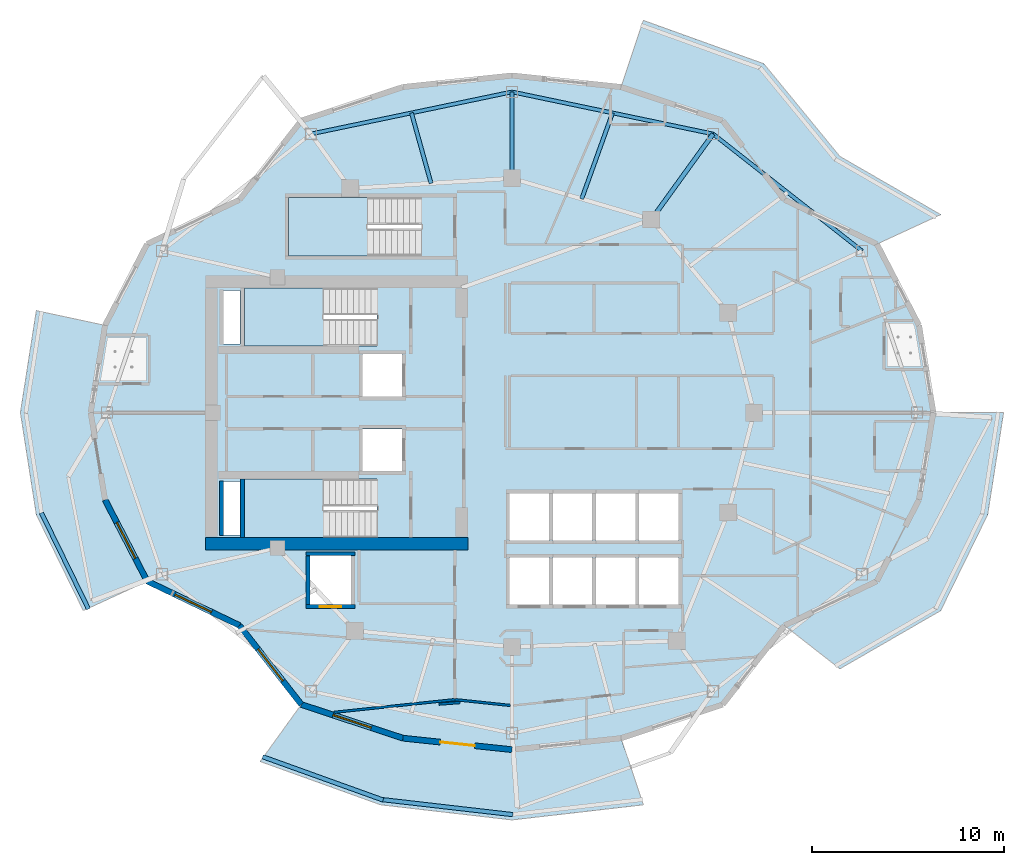
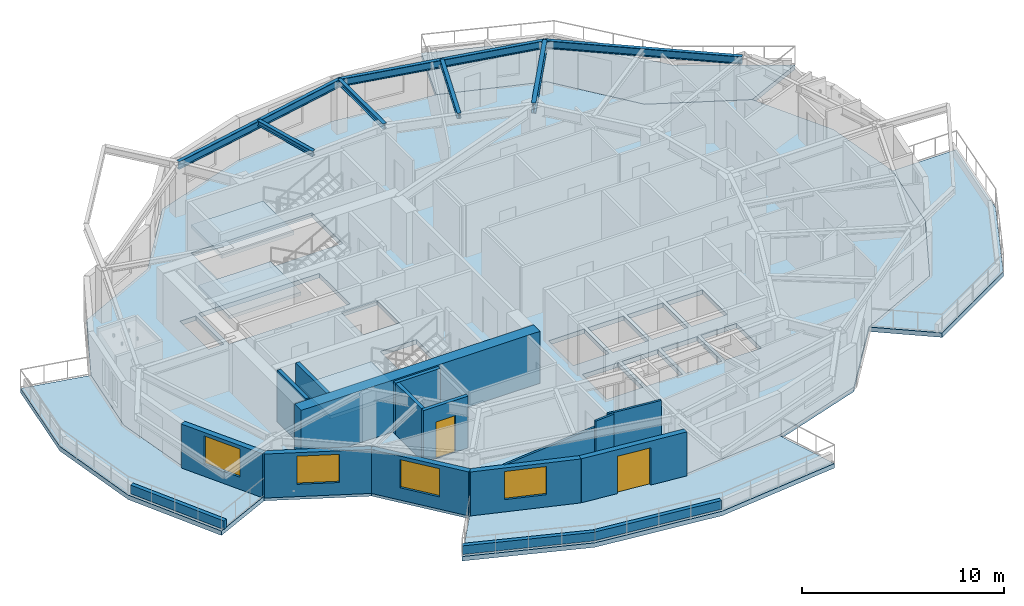
# One storey, part 2 of 13: 17 walls, 8 slabs, 7 beams, 4 windows, 2 doors, 6 openings, 3 elements without a shape of their own.
"""IFC4 building model written with IfcOpenShell, lengths in metres."""

from ifc_helpers import new_model, si_unit, direction, frame, frame_2d, origin, origin_2d, place, context, subcontext, project, spatial, polyline, rectangle, i_section, outline, extrude, material, layer, layer_set, material_profile, profile_set, type_object, element, fill, aggregate, save


model = new_model("IFC4")

# Units and contexts
model_context = context("Model", 3, precision=1e-05, world=origin(), true_north=direction((0.0, 1.0)))
body_context = subcontext(model_context, "Body", "Model", "MODEL_VIEW")
ifc_project = project(units=[si_unit("LENGTHUNIT", "METRE"), si_unit("AREAUNIT", "SQUARE_METRE"), si_unit("VOLUMEUNIT", "CUBIC_METRE"), si_unit("PLANEANGLEUNIT", "RADIAN"), si_unit("MASSUNIT", "GRAM", prefix="KILO")], contexts=[model_context])

# Site, building, storey
site_placement = place(None, origin())
site = spatial("IfcSite", under=ifc_project, at=site_placement, CompositionType="ELEMENT")
building_placement = place(site_placement, origin())
building = spatial("IfcBuilding", under=site, at=building_placement, Name="Kolvaren Gate Tower and Convention Centre", CompositionType="ELEMENT")
storey_placement = place(building_placement, frame((0.0, 0.0, 166.5)))
storey = spatial("IfcBuildingStorey", under=building, at=storey_placement, Name="L43", CompositionType="ELEMENT", Elevation=166.5)

# Beams
ifc_material_1 = material(Name="Structural steel ASTM A992 Grade 345 MPa", Category="steel")
ifc_material_profile_1 = material_profile(ifc_material_1, i_section(OverallWidth=0.22998046875, OverallDepth=0.616943359375, WebThickness=0.01318359375, FlangeThickness=0.022216796875, at=origin_2d()), Name="W610X140")
ifc_profile_set_1 = profile_set([ifc_material_profile_1], Name="Structural steel ASTM A992 Grade 345 MPa")
beam_type_1 = type_object("IfcBeamType", Name="STR-BM-W610X140", PredefinedType="BEAM", material=ifc_profile_set_1)
beam_1_placement = place(storey_placement, frame((37.381591796875, 37.054931640625, 2.821533203125), z_axis=(0.58520818289, 0.810883088169, 0.0), x_axis=(-0.810883088169, 0.58520818289, 0.0)))
element("IfcBeam", 1, at=beam_1_placement, inside=storey, type_object=beam_type_1, Name="Tower L43 Radial Floor Girder RB-03", PredefinedType="BEAM", context=body_context, shape_type="SweptSolid", body=[
    extrude(i_section(OverallWidth=0.22998046875, OverallDepth=0.616943359375, WebThickness=0.01318359375, FlangeThickness=0.022216796875, at=origin_2d()), origin(), (0.0, 0.0, 1.0), 5.493408203125),
])
ifc_material_profile_2 = material_profile(ifc_material_1, i_section(OverallWidth=0.205078125, OverallDepth=0.31005859375, WebThickness=0.009521484375, FlangeThickness=0.016357421875, at=origin_2d()), Name="W310X74")
ifc_profile_set_2 = profile_set([ifc_material_profile_2], Name="Structural steel ASTM A992 Grade 345 MPa")
beam_type_2 = type_object("IfcBeamType", Name="STR-JS-W310X74", PredefinedType="JOIST", material=ifc_profile_set_2)
beam_2_placement = place(storey_placement, frame((30.125, 39.199951171875, 2.97509765625), z_axis=(0.0, 1.0, 0.0), x_axis=(-1.0, 0.0, 0.0)))
element("IfcBeam", 2, at=beam_2_placement, inside=storey, type_object=beam_type_2, Name="Tower L43 Radial Floor Girder RB-04", PredefinedType="JOIST", context=body_context, shape_type="SweptSolid", body=[
    extrude(i_section(OverallWidth=0.205078125, OverallDepth=0.31005859375, WebThickness=0.009521484375, FlangeThickness=0.016357421875, at=origin_2d()), origin(), (0.0, 0.0, 1.0), 4.5),
])
beam_3_placement = place(storey_placement, frame((33.75341796875, 38.12744140625, 2.97509765625), z_axis=(0.33785426197, 0.941198436924, 0.0), x_axis=(-0.941198436924, 0.33785426197, 0.0)))
element("IfcBeam", 3, at=beam_3_placement, inside=storey, type_object=beam_type_2, Name="Tower L43 Secondary Composite Floor Joist J-03.1", PredefinedType="JOIST", context=body_context, shape_type="SweptSolid", body=[
    extrude(i_section(OverallWidth=0.205078125, OverallDepth=0.31005859375, WebThickness=0.009521484375, FlangeThickness=0.016357421875, at=origin_2d()), origin(), (0.0, 0.0, 1.0), 4.757080078125),
])
beam_4_placement = place(storey_placement, frame((25.91162109375, 38.938232421875, 2.97509765625), z_axis=(-0.26855678261, 0.963263855085, 0.0), x_axis=(-0.963263855085, -0.26855678261, 0.0)))
element("IfcBeam", 4, at=beam_4_placement, inside=storey, type_object=beam_type_2, Name="Tower L43 Secondary Composite Floor Joist J-04.1", PredefinedType="JOIST", context=body_context, shape_type="SweptSolid", body=[
    extrude(i_section(OverallWidth=0.205078125, OverallDepth=0.31005859375, WebThickness=0.009521484375, FlangeThickness=0.016357421875, at=origin_2d()), origin(), (0.0, 0.0, 1.0), 3.806396484375),
])
ifc_material_profile_3 = material_profile(ifc_material_1, i_section(OverallWidth=0.194091796875, OverallDepth=0.468994140625, WebThickness=0.0126953125, FlangeThickness=0.0205078125, at=origin_2d()), Name="W460X106")
ifc_profile_set_3 = profile_set([ifc_material_profile_3], Name="Structural steel ASTM A992 Grade 345 MPa")
beam_type_3 = type_object("IfcBeamType", Name="STR-SP-W460X106", PredefinedType="SPANDREL", material=ifc_profile_set_3)
beam_5_placement = place(storey_placement, frame((48.351806640625, 35.418701171875, 2.8955078125), z_axis=(-0.786450621777, 0.617653154697, 0.0), x_axis=(-0.617653154697, -0.786450621777, 0.0)))
element("IfcBeam", 5, at=beam_5_placement, inside=storey, type_object=beam_type_3, Name="Tower L43 Perimeter Spandrel Beam SP-02", PredefinedType="SPANDREL", context=body_context, shape_type="SweptSolid", body=[
    extrude(i_section(OverallWidth=0.194091796875, OverallDepth=0.468994140625, WebThickness=0.0126953125, FlangeThickness=0.0205078125, at=origin_2d()), origin(), (0.0, 0.0, 1.0), 9.861328125),
])
beam_6_placement = place(storey_placement, frame((40.596435546875, 41.509521484375, 2.8955078125), z_axis=(-0.978814350133, 0.204749769168, 0.0), x_axis=(-0.204749769168, -0.978814350133, 0.0)))
element("IfcBeam", 6, at=beam_6_placement, inside=storey, type_object=beam_type_3, Name="Tower L43 Perimeter Spandrel Beam SP-03", PredefinedType="SPANDREL", context=body_context, shape_type="SweptSolid", body=[
    extrude(i_section(OverallWidth=0.194091796875, OverallDepth=0.468994140625, WebThickness=0.0126953125, FlangeThickness=0.0205078125, at=origin_2d()), origin(), (0.0, 0.0, 1.0), 10.697998046875),
])
beam_7_placement = place(storey_placement, frame((30.125, 43.699951171875, 2.8955078125), z_axis=(-0.978813393389, -0.204754342865, 0.0), x_axis=(0.204754342865, -0.978813393389, 0.0)))
element("IfcBeam", 7, at=beam_7_placement, inside=storey, type_object=beam_type_3, Name="Tower L43 Perimeter Spandrel Beam SP-04", PredefinedType="SPANDREL", context=body_context, shape_type="SweptSolid", body=[
    extrude(i_section(OverallWidth=0.194091796875, OverallDepth=0.468994140625, WebThickness=0.0126953125, FlangeThickness=0.0205078125, at=origin_2d()), origin(), (0.0, 0.0, 1.0), 10.69775390625),
])

# Slabs
ifc_material_2 = material(Name="Concrete C50/60", Category="concrete")
ifc_layer_1 = layer(ifc_material_2, 0.27001953125)
ifc_layer_set_1 = layer_set([ifc_layer_1], Name="Concrete C50/60")
slab_type_1 = type_object("IfcSlabType", Name="STR-SL-BALC-270", PredefinedType="FLOOR", material=ifc_layer_set_1)
slab_1_placement = place(storey_placement, frame((0.0, 0.0, -0.27001953125)))
element("IfcSlab", 8, at=slab_1_placement, inside=storey, type_object=slab_type_1, Name="Tower L43 Planted Balcony Terrace Slab 1 (North)", PredefinedType="FLOOR", context=body_context, shape_type="SweptSolid", body=[
    extrude(outline(polyline([(49.123291015625, 35.77490234375), (44.3134765625, 38.0859375), (41.09375, 42.19873046875), (35.802734375, 43.951904296875), (36.965087890625, 47.422607421875), (43.235595703125, 45.16650390625), (47.197509765625, 40.33935546875), (52.446044921875, 37.309814453125), (49.123291015625, 35.77490234375)])), origin(), (0.0, 0.0, 1.0), 0.27001953125),
])
slab_2_placement = place(storey_placement, frame((0.0, 0.0, -0.27001953125)))
element("IfcSlab", 9, at=slab_2_placement, inside=storey, type_object=slab_type_1, Name="Tower L43 Planted Balcony Terrace Slab 2 (West)", PredefinedType="FLOOR", context=body_context, shape_type="SweptSolid", body=[
    extrude(outline(polyline([(8.93505859375, 31.542236328125), (8.1875, 27.0), (8.93505859375, 22.457763671875), (11.126708984375, 18.22509765625), (7.803955078125, 16.690185546875), (5.356201171875, 21.690673828125), (4.527587890625, 27.0), (5.356201171875, 32.309326171875), (8.93505859375, 31.542236328125)])), origin(), (0.0, 0.0, 1.0), 0.27001953125),
])
slab_3_placement = place(storey_placement, frame((0.0, 0.0, -0.27001953125)))
element("IfcSlab", 10, at=slab_3_placement, inside=storey, type_object=slab_type_1, Name="Tower L43 Planted Balcony Terrace Slab 3 (South)", PredefinedType="FLOOR", context=body_context, shape_type="SweptSolid", body=[
    extrude(outline(polyline([(19.15625, 11.80126953125), (24.447265625, 10.048095703125), (30.125, 9.449951171875), (35.802734375, 10.048095703125), (36.965087890625, 6.577392578125), (30.125, 5.7900390625), (23.284912109375, 6.577392578125), (17.014404296875, 8.83349609375), (19.15625, 11.80126953125)])), origin(), (0.0, 0.0, 1.0), 0.27001953125),
])
slab_4_placement = place(storey_placement, frame((0.0, 0.0, -0.27001953125)))
element("IfcSlab", 11, at=slab_4_placement, inside=storey, type_object=slab_type_1, Name="Tower L43 Planted Balcony Terrace Slab 4 (East)", PredefinedType="FLOOR", context=body_context, shape_type="SweptSolid", body=[
    extrude(outline(polyline([(44.3134765625, 15.9140625), (49.123291015625, 18.22509765625), (51.31494140625, 22.457763671875), (52.0625, 27.0), (55.722412109375, 27.0), (54.893798828125, 21.690673828125), (52.446044921875, 16.690185546875), (47.197509765625, 13.66064453125), (44.3134765625, 15.9140625)])), origin(), (0.0, 0.0, 1.0), 0.27001953125),
])
ifc_material_3 = material(Name="Concrete C40/50", Category="concrete")
ifc_layer_2 = layer(ifc_material_3, 0.27001953125)
ifc_layer_set_2 = layer_set([ifc_layer_2], Name="Concrete C40/50")
slab_type_2 = type_object("IfcSlabType", Name="STR-SL-FLR-270", PredefinedType="FLOOR", material=ifc_layer_set_2)
slab_5_placement = place(storey_placement, frame((0.0, 0.0, -0.27001953125)))
element("IfcSlab", 12, at=slab_5_placement, inside=storey, type_object=slab_type_2, Name="Tower L43 Structural Floor Slab", PredefinedType="FLOOR", context=body_context, shape_type="SweptSolid", body=[
    extrude(outline(polyline([(52.0625, 27.0), (51.31494140625, 31.542236328125), (49.123291015625, 35.77490234375), (44.3134765625, 38.0859375), (41.09375, 42.19873046875), (35.802734375, 43.951904296875), (30.125, 44.550048828125), (24.447265625, 43.951904296875), (19.15625, 42.19873046875), (15.9365234375, 38.0859375), (11.126708984375, 35.77490234375), (8.93505859375, 31.542236328125), (8.1875, 27.0), (8.93505859375, 22.457763671875), (11.126708984375, 18.22509765625), (15.9365234375, 15.9140625), (19.15625, 11.80126953125), (24.447265625, 10.048095703125), (30.125, 9.449951171875), (35.802734375, 10.048095703125), (41.09375, 11.80126953125), (44.3134765625, 15.9140625), (49.123291015625, 18.22509765625), (51.31494140625, 22.457763671875), (52.0625, 27.0)]), holes=[polyline([(36.75, 17.0), (36.75, 19.449951171875), (38.800048828125, 19.449951171875), (38.800048828125, 17.0), (36.75, 17.0)]), polyline([(36.75, 20.35009765625), (36.75, 22.800048828125), (38.800048828125, 22.800048828125), (38.800048828125, 20.35009765625), (36.75, 20.35009765625)]), polyline([(34.5, 17.0), (34.5, 19.449951171875), (36.550048828125, 19.449951171875), (36.550048828125, 17.0), (34.5, 17.0)]), polyline([(34.5, 20.35009765625), (34.5, 22.800048828125), (36.550048828125, 22.800048828125), (36.550048828125, 20.35009765625), (34.5, 20.35009765625)]), polyline([(32.25, 17.0), (32.25, 19.449951171875), (34.300048828125, 19.449951171875), (34.300048828125, 17.0), (32.25, 17.0)]), polyline([(32.25, 20.35009765625), (32.25, 22.800048828125), (34.300048828125, 22.800048828125), (34.300048828125, 20.35009765625), (32.25, 20.35009765625)]), polyline([(30.0, 17.0), (30.0, 19.449951171875), (32.050048828125, 19.449951171875), (32.050048828125, 17.0), (30.0, 17.0)]), polyline([(30.0, 20.35009765625), (30.0, 22.800048828125), (32.050048828125, 22.800048828125), (32.050048828125, 20.35009765625), (30.0, 20.35009765625)]), polyline([(25.39990234375, 38.199951171875), (25.39990234375, 35.159912109375), (18.5, 35.159912109375), (18.5, 38.199951171875), (25.39990234375, 38.199951171875)]), polyline([(22.35009765625, 23.9599609375), (22.35009765625, 26.159912109375), (24.39990234375, 26.159912109375), (24.39990234375, 23.9599609375), (22.35009765625, 23.9599609375)]), polyline([(22.35009765625, 27.840087890625), (22.35009765625, 30.0400390625), (24.39990234375, 30.0400390625), (24.39990234375, 27.840087890625), (22.35009765625, 27.840087890625)]), polyline([(23.10009765625, 23.5400390625), (23.10009765625, 20.5), (16.199951171875, 20.5), (16.199951171875, 23.5400390625), (23.10009765625, 23.5400390625)]), polyline([(23.10009765625, 33.5), (23.10009765625, 30.4599609375), (16.199951171875, 30.4599609375), (16.199951171875, 33.5), (23.10009765625, 33.5)]), polyline([(19.60009765625, 17.0), (19.60009765625, 19.550048828125), (21.75, 19.550048828125), (21.75, 17.0), (19.60009765625, 17.0)]), polyline([(15.080078125, 20.6298828125), (15.080078125, 23.419921875), (15.969970703125, 23.419921875), (15.969970703125, 20.6298828125), (15.080078125, 20.6298828125)]), polyline([(15.080078125, 30.580078125), (15.080078125, 33.3701171875), (15.969970703125, 33.3701171875), (15.969970703125, 30.580078125), (15.080078125, 30.580078125)])]), origin(), (0.0, 0.0, 1.0), 0.27001953125),
])

# Stair, slab
stair_type = type_object("IfcStairType", Name="STR-STAIR-CORE", PredefinedType="HALF_TURN_STAIR", material=ifc_material_2)
stair_1_placement = place(storey_placement, origin())
stair_1 = element("IfcStair", 13, at=stair_1_placement, inside=storey, type_object=stair_type, Name="L43 Tower North Exit Stair ST-T1", PredefinedType="HALF_TURN_STAIR")
ifc_layer_3 = layer(ifc_material_2, 0.199951171875)
ifc_layer_set_3 = layer_set([ifc_layer_3], Name="Concrete C50/60")
slab_type_3 = type_object("IfcSlabType", Name="STR-SL-LAND-200", PredefinedType="LANDING", material=ifc_layer_set_3)
slab_6_placement = place(storey_placement, frame((0.0, 0.0, 1.5)))
slab_6 = element("IfcSlab", 14, at=slab_6_placement, type_object=slab_type_3, Name="ST-T1 landing 1", PredefinedType="LANDING", context=body_context, shape_type="SweptSolid", body=[
    extrude(outline(polyline([(20.31005859375, 33.5), (16.199951171875, 33.5), (16.199951171875, 30.4599609375), (20.31005859375, 30.4599609375), (20.31005859375, 33.5)])), origin(), (0.0, 0.0, 1.0), 0.199951171875),
])
aggregate(stair_1, [slab_6])

stair_2_placement = place(storey_placement, origin())
stair_2 = element("IfcStair", 15, at=stair_2_placement, inside=storey, type_object=stair_type, Name="L43 Tower South Exit Stair ST-T2", PredefinedType="HALF_TURN_STAIR")
slab_7_placement = place(storey_placement, frame((0.0, 0.0, 1.5)))
slab_7 = element("IfcSlab", 16, at=slab_7_placement, type_object=slab_type_3, Name="ST-T2 landing 1", PredefinedType="LANDING", context=body_context, shape_type="SweptSolid", body=[
    extrude(outline(polyline([(20.31005859375, 23.5400390625), (16.199951171875, 23.5400390625), (16.199951171875, 20.5), (20.31005859375, 20.5), (20.31005859375, 23.5400390625)])), origin(), (0.0, 0.0, 1.0), 0.199951171875),
])
aggregate(stair_2, [slab_7])

stair_3_placement = place(storey_placement, origin())
stair_3 = element("IfcStair", 17, at=stair_3_placement, inside=storey, type_object=stair_type, Name="L43 Tower Mid-Zone Exit Stair ST-T3", PredefinedType="HALF_TURN_STAIR")
slab_8_placement = place(storey_placement, frame((0.0, 0.0, 1.5)))
slab_8 = element("IfcSlab", 18, at=slab_8_placement, type_object=slab_type_3, Name="ST-T3 landing 1", PredefinedType="LANDING", context=body_context, shape_type="SweptSolid", body=[
    extrude(outline(polyline([(22.610107421875, 38.199951171875), (18.5, 38.199951171875), (18.5, 35.159912109375), (22.610107421875, 35.159912109375), (22.610107421875, 38.199951171875)])), origin(), (0.0, 0.0, 1.0), 0.199951171875),
])
aggregate(stair_3, [slab_8])

# Walls
ifc_material_4 = material(Name="Fire-Rated Acoustic Gypsum Stud Partition", Category="gypsum")
ifc_layer_4 = layer(ifc_material_4, 0.1201171875)
ifc_layer_set_4 = layer_set([ifc_layer_4], Name="Fire-Rated Acoustic Gypsum Stud Partition")
wall_type_1 = type_object("IfcWallType", Name="ARCH-WL-PART-120", PredefinedType="PARTITIONING", material=ifc_layer_set_4)
wall_1_placement = place(storey_placement, frame((27.14990234375, 12.055908203125, 0.0), z_axis=(0.0, 0.0, 1.0), x_axis=(0.994501330468, -0.104723940422, 0.0)))
element("IfcWall", 19, at=wall_1_placement, inside=storey, type_object=wall_type_1, Name="Interior Partition WL-L43-INT-029", PredefinedType="PARTITIONING", context=body_context, shape_type="SweptSolid", body=[
    extrude(rectangle(XDim=2.921142578125, YDim=0.1201171875, at=frame_2d((1.46044921875, 0.0))), origin(), (0.0, 0.0, 1.0), 3.1298828125),
])
wall_2_placement = place(storey_placement, frame((20.867431640625, 11.394287109375, 0.0), z_axis=(0.0, 0.0, 1.0), x_axis=(0.994500369419, 0.104733066534, 0.0)))
element("IfcWall", 20, at=wall_2_placement, inside=storey, type_object=wall_type_1, Name="Interior Partition WL-L43-INT-051", PredefinedType="PARTITIONING", context=body_context, shape_type="SweptSolid", body=[
    extrude(rectangle(XDim=6.317138671875, YDim=0.1201171875, at=frame_2d((3.15869140625, 0.0))), origin(), (0.0, 0.0, 1.0), 2.653076171875),
])
wall_3_placement = place(storey_placement, frame((26.323486328125, 11.818115234375, 0.0), z_axis=(0.0, 0.0, 1.0), x_axis=(0.996928224464, 0.078320592867, 0.0)))
element("IfcWall", 21, at=wall_3_placement, inside=storey, type_object=wall_type_1, Name="Interior Partition WL-L43-INT-052", PredefinedType="PARTITIONING", context=body_context, shape_type="SweptSolid", body=[
    extrude(rectangle(XDim=1.103515625, YDim=0.1201171875, at=frame_2d((0.5517578125, 0.0))), origin(), (0.0, 0.0, 1.0), 3.1298828125),
])
ifc_material_5 = material(Name="Piedmont Cream Honed Limestone Cladding", Category="masonry")
ifc_layer_5 = layer(ifc_material_5, 0.219970703125)
ifc_layer_set_5 = layer_set([ifc_layer_5], Name="Piedmont Cream Honed Limestone Cladding")
wall_type_2 = type_object("IfcWallType", Name="ARCH-WL-PLANTER-220", PredefinedType="PARAPET", material=ifc_layer_set_5)
wall_4_placement = place(storey_placement, frame((5.6220703125, 21.77880859375, 0.0), z_axis=(0.0, 0.0, 1.0), x_axis=(0.439637174641, -0.898175458735, 0.0)))
element("IfcWall", 22, at=wall_4_placement, inside=storey, type_object=wall_type_2, Name="Vertical-Forest Balcony Stone Planter Kerb PK-L43-2.3", PredefinedType="PARAPET", context=body_context, shape_type="SweptSolid", body=[
    extrude(rectangle(XDim=5.567138671875, YDim=0.219970703125, at=frame_2d((2.78369140625, 0.0))), origin(), (0.0, 0.0, 1.0), 0.52001953125),
])
wall_5_placement = place(storey_placement, frame((17.142822265625, 9.082275390625, 0.0), z_axis=(0.0, 0.0, 1.0), x_axis=(0.940948576924, -0.338549517184, 0.0)))
element("IfcWall", 23, at=wall_5_placement, inside=storey, type_object=wall_type_2, Name="Vertical-Forest Balcony Stone Planter Kerb PK-L43-3.1", PredefinedType="PARAPET", context=body_context, shape_type="SweptSolid", body=[
    extrude(rectangle(XDim=6.6640625, YDim=0.219970703125, at=frame_2d((3.33203125, 0.0))), origin(), (0.0, 0.0, 1.0), 0.52001953125),
])
wall_6_placement = place(storey_placement, frame((23.330078125, 6.853759765625, 0.0), z_axis=(0.0, 0.0, 1.0), x_axis=(0.993440576506, -0.114349555972, 0.0)))
element("IfcWall", 24, at=wall_6_placement, inside=storey, type_object=wall_type_2, Name="Vertical-Forest Balcony Stone Planter Kerb PK-L43-3.2", PredefinedType="PARAPET", context=body_context, shape_type="SweptSolid", body=[
    extrude(rectangle(XDim=6.885498046875, YDim=0.219970703125, at=frame_2d((3.44287109375, 0.0))), origin(), (0.0, 0.0, 1.0), 0.52001953125),
])
ifc_material_6 = material(Name="Autoclaved Aerated Masonry Blockwork Class 4 (4.0 MPa)", Category="masonry")
ifc_layer_6 = layer(ifc_material_6, 0.199951171875)
ifc_layer_set_6 = layer_set([ifc_layer_6], Name="Autoclaved Aerated Masonry Blockwork Class 4 (4.0 MPa)")
wall_type_3 = type_object("IfcWallType", Name="ARCH-WL-SHAFT-200", PredefinedType="SOLIDWALL", material=ifc_layer_set_6)
wall_7_placement = place(storey_placement, frame((19.39990234375, 19.64990234375, 0.0), z_axis=(0.0, 0.0, 1.0), x_axis=(1.0, 0.0, 0.0)))
element("IfcWall", 25, at=wall_7_placement, inside=storey, type_object=wall_type_3, Name="Elevator SV-01 L43 Fire Shaft Wall N", PredefinedType="SOLIDWALL", context=body_context, shape_type="SweptSolid", body=[
    extrude(rectangle(XDim=2.550048828125, YDim=0.199951171875, at=frame_2d((1.27490234375, 0.0))), origin(), (0.0, 0.0, 1.0), 3.1298828125),
])

# Wall, opening, door
wall_8_placement = place(storey_placement, frame((19.39990234375, 16.89990234375, 0.0), z_axis=(0.0, 0.0, 1.0), x_axis=(1.0, 0.0, 0.0)))
wall_8 = element("IfcWall", 26, at=wall_8_placement, inside=storey, type_object=wall_type_3, Name="Elevator SV-01 L43 Fire Shaft Wall S", PredefinedType="SOLIDWALL", context=body_context, shape_type="SweptSolid", body=[
    extrude(rectangle(XDim=2.550048828125, YDim=0.199951171875, at=frame_2d((1.27490234375, 0.0))), origin(), (0.0, 0.0, 1.0), 3.1298828125),
])
opening_1_placement = place(wall_8_placement, frame((0.72509765625, 0.0, 0.0)))
opening_1 = element("IfcOpeningElement", 27, at=opening_1_placement, cuts=wall_8, Name="Opening LD", PredefinedType="OPENING", context=body_context, shape_type="SweptSolid", body=[
    extrude(rectangle(XDim=1.10009765625, YDim=2.199951171875, at=frame_2d((0.550048828125, 1.10009765625))), frame((0.0, 0.10986328125, 0.0), z_axis=(0.0, -1.0, 0.0), x_axis=(1.0, 0.0, 0.0)), (0.0, 0.0, 1.0), 0.219970703125),
])
ifc_material_7 = material(Name="Brushed Stainless Steel Grade 316L", Category="steel")
door_type_1 = type_object("IfcDoorType", Name="ARCH-DR-LIFT-1100", OperationType="SLIDING_TO_LEFT", PredefinedType="DOOR", material=ifc_material_7)
door_1_placement = place(opening_1_placement, origin())
door_1 = element("IfcDoor", 28, at=door_1_placement, inside=storey, type_object=door_type_1, Name="Elevator SV-01 L43 Sliding Landing Door", OperationType="SLIDING_TO_LEFT", OverallHeight=2.199951171875, OverallWidth=1.10009765625, PredefinedType="DOOR", context=body_context, shape_type="SweptSolid", body=[
    extrude(rectangle(XDim=1.10009765625, YDim=2.199951171875, at=frame_2d((0.550048828125, 1.10009765625))), frame((0.0, 0.02490234375, 0.0), z_axis=(0.0, -1.0, 0.0), x_axis=(1.0, 0.0, 0.0)), (0.0, 0.0, 1.0), 0.050048828125),
])
fill(opening_1, door_1)

# Walls
wall_9_placement = place(storey_placement, frame((19.5, 17.010009765625, 0.0), z_axis=(0.0, 0.0, 1.0), x_axis=(0.0, 1.0, 0.0)))
element("IfcWall", 29, at=wall_9_placement, inside=storey, type_object=wall_type_3, Name="Elevator SV-01 L43 Fire Shaft Wall W", PredefinedType="SOLIDWALL", context=body_context, shape_type="SweptSolid", body=[
    extrude(rectangle(XDim=2.530029296875, YDim=0.199951171875, at=frame_2d((1.26513671875, 0.0))), origin(), (0.0, 0.0, 1.0), 3.1298828125),
])
wall_10_placement = place(storey_placement, frame((14.989990234375, 20.60009765625, 0.0), z_axis=(0.0, 0.0, 1.0), x_axis=(0.0, 1.0, 0.0)))
element("IfcWall", 30, at=wall_10_placement, inside=storey, type_object=wall_type_3, Name="Vertical Shaft MPR L43 EI-120 Enclosure Wall W", PredefinedType="SOLIDWALL", context=body_context, shape_type="SweptSolid", body=[
    extrude(rectangle(XDim=2.849853515625, YDim=0.199951171875, at=frame_2d((1.4248046875, 0.0))), origin(), (0.0, 0.0, 1.0), 3.1298828125),
])

# Wall, opening, window
ifc_layer_7 = layer(ifc_material_5, 0.300048828125)
ifc_layer_set_7 = layer_set([ifc_layer_7], Name="Piedmont Cream Honed Limestone Cladding")
wall_type_4 = type_object("IfcWallType", Name="ARCH-WL-STONE-300", PredefinedType="SOLIDWALL", material=ifc_layer_set_7)
wall_11_placement = place(storey_placement, frame((8.93505859375, 22.457763671875, 0.0), z_axis=(0.0, 0.0, 1.0), x_axis=(0.459810251451, -0.888017191647, 0.0)))
wall_11 = element("IfcWall", 31, at=wall_11_placement, inside=storey, type_object=wall_type_4, Name="Tower L43 Honed Stone Spandrel Wall EW-13", PredefinedType="SOLIDWALL", context=body_context, shape_type="SweptSolid", body=[
    extrude(rectangle(XDim=4.766357421875, YDim=0.300048828125, at=frame_2d((2.38330078125, 0.0))), origin(), (0.0, 0.0, 1.0), 2.653076171875),
])
opening_2_placement = place(wall_11_placement, frame((1.3330078125, 0.0, 0.739990234375)))
opening_2 = element("IfcOpeningElement", 32, at=opening_2_placement, cuts=wall_11, Name="Opening W-02", PredefinedType="OPENING", context=body_context, shape_type="SweptSolid", body=[
    extrude(rectangle(XDim=2.10009765625, YDim=1.699951171875, at=frame_2d((1.050048828125, 0.85009765625))), frame((0.0, 0.159912109375, 0.0), z_axis=(0.0, -1.0, 0.0), x_axis=(1.0, 0.0, 0.0)), (0.0, 0.0, 1.0), 0.320068359375),
])
ifc_material_8 = material(Name="Low-E Triple Insulated Glazing Unit 44 mm", Category="glass")
window_type = type_object("IfcWindowType", Name="ARCH-WN-HTL-2100", PartitioningType="SINGLE_PANEL", PredefinedType="WINDOW", material=ifc_material_8)
window_1_placement = place(opening_2_placement, origin())
window_1 = element("IfcWindow", 33, at=window_1_placement, inside=storey, type_object=window_type, Name="Tower L43 Punched Stone Facade Window W-13", OverallHeight=1.699951171875, OverallWidth=2.10009765625, PartitioningType="SINGLE_PANEL", PredefinedType="WINDOW", context=body_context, shape_type="SweptSolid", body=[
    extrude(rectangle(XDim=2.10009765625, YDim=1.699951171875, at=frame_2d((1.050048828125, 0.85009765625))), frame((0.0, 0.030029296875, 0.0), z_axis=(0.0, -1.0, 0.0), x_axis=(1.0, 0.0, 0.0)), (0.0, 0.0, 1.0), 0.06005859375),
])
fill(opening_2, window_1)

wall_12_placement = place(storey_placement, frame((11.126708984375, 18.22509765625, 0.0), z_axis=(0.0, 0.0, 1.0), x_axis=(0.901353070301, -0.433085029363, 0.0)))
wall_12 = element("IfcWall", 34, at=wall_12_placement, inside=storey, type_object=wall_type_4, Name="Tower L43 Honed Stone Spandrel Wall EW-14", PredefinedType="SOLIDWALL", context=body_context, shape_type="SweptSolid", body=[
    extrude(rectangle(XDim=5.336181640625, YDim=0.300048828125, at=frame_2d((2.66796875, 0.0))), origin(), (0.0, 0.0, 1.0), 2.653076171875),
])
opening_3_placement = place(wall_12_placement, frame((1.617919921875, 0.0, 0.739990234375)))
opening_3 = element("IfcOpeningElement", 35, at=opening_3_placement, cuts=wall_12, Name="Opening W-02", PredefinedType="OPENING", context=body_context, shape_type="SweptSolid", body=[
    extrude(rectangle(XDim=2.10009765625, YDim=1.699951171875, at=frame_2d((1.050048828125, 0.85009765625))), frame((0.0, 0.159912109375, 0.0), z_axis=(0.0, -1.0, 0.0), x_axis=(1.0, 0.0, 0.0)), (0.0, 0.0, 1.0), 0.320068359375),
])
window_2_placement = place(opening_3_placement, origin())
window_2 = element("IfcWindow", 36, at=window_2_placement, inside=storey, type_object=window_type, Name="Tower L43 Punched Stone Facade Window W-14", OverallHeight=1.699951171875, OverallWidth=2.10009765625, PartitioningType="SINGLE_PANEL", PredefinedType="WINDOW", context=body_context, shape_type="SweptSolid", body=[
    extrude(rectangle(XDim=2.10009765625, YDim=1.699951171875, at=frame_2d((1.050048828125, 0.85009765625))), frame((0.0, 0.030029296875, 0.0), z_axis=(0.0, -1.0, 0.0), x_axis=(1.0, 0.0, 0.0)), (0.0, 0.0, 1.0), 0.06005859375),
])
fill(opening_3, window_2)

wall_13_placement = place(storey_placement, frame((15.9365234375, 15.9140625, 0.0), z_axis=(0.0, 0.0, 1.0), x_axis=(0.616429245738, -0.787410302828, 0.0)))
wall_13 = element("IfcWall", 37, at=wall_13_placement, inside=storey, type_object=wall_type_4, Name="Tower L43 Honed Stone Spandrel Wall EW-15", PredefinedType="SOLIDWALL", context=body_context, shape_type="SweptSolid", body=[
    extrude(rectangle(XDim=5.22314453125, YDim=0.300048828125, at=frame_2d((2.611572265625, 0.0))), origin(), (0.0, 0.0, 1.0), 2.653076171875),
])
opening_4_placement = place(wall_13_placement, frame((1.56201171875, 0.0, 0.739990234375)))
opening_4 = element("IfcOpeningElement", 38, at=opening_4_placement, cuts=wall_13, Name="Opening W-02", PredefinedType="OPENING", context=body_context, shape_type="SweptSolid", body=[
    extrude(rectangle(XDim=2.10009765625, YDim=1.699951171875, at=frame_2d((1.050048828125, 0.85009765625))), frame((0.0, 0.159912109375, 0.0), z_axis=(0.0, -1.0, 0.0), x_axis=(1.0, 0.0, 0.0)), (0.0, 0.0, 1.0), 0.320068359375),
])
window_3_placement = place(opening_4_placement, origin())
window_3 = element("IfcWindow", 39, at=window_3_placement, inside=storey, type_object=window_type, Name="Tower L43 Punched Stone Facade Window W-15", OverallHeight=1.699951171875, OverallWidth=2.10009765625, PartitioningType="SINGLE_PANEL", PredefinedType="WINDOW", context=body_context, shape_type="SweptSolid", body=[
    extrude(rectangle(XDim=2.10009765625, YDim=1.699951171875, at=frame_2d((1.050048828125, 0.85009765625))), frame((0.0, 0.030029296875, 0.0), z_axis=(0.0, -1.0, 0.0), x_axis=(1.0, 0.0, 0.0)), (0.0, 0.0, 1.0), 0.06005859375),
])
fill(opening_4, window_3)

wall_14_placement = place(storey_placement, frame((19.15625, 11.80126953125, 0.0), z_axis=(0.0, 0.0, 1.0), x_axis=(0.949246811547, -0.314532177636, 0.0)))
wall_14 = element("IfcWall", 40, at=wall_14_placement, inside=storey, type_object=wall_type_4, Name="Tower L43 Honed Stone Spandrel Wall EW-16", PredefinedType="SOLIDWALL", context=body_context, shape_type="SweptSolid", body=[
    extrude(rectangle(XDim=5.573974609375, YDim=0.300048828125, at=frame_2d((2.787109375, 0.0))), origin(), (0.0, 0.0, 1.0), 2.653076171875),
])
opening_5_placement = place(wall_14_placement, frame((1.737060546875, 0.0, 0.739990234375)))
opening_5 = element("IfcOpeningElement", 41, at=opening_5_placement, cuts=wall_14, Name="Opening W-02", PredefinedType="OPENING", context=body_context, shape_type="SweptSolid", body=[
    extrude(rectangle(XDim=2.10009765625, YDim=1.699951171875, at=frame_2d((1.050048828125, 0.85009765625))), frame((0.0, 0.159912109375, 0.0), z_axis=(0.0, -1.0, 0.0), x_axis=(1.0, 0.0, 0.0)), (0.0, 0.0, 1.0), 0.320068359375),
])
window_4_placement = place(opening_5_placement, origin())
window_4 = element("IfcWindow", 42, at=window_4_placement, inside=storey, type_object=window_type, Name="Tower L43 Punched Stone Facade Window W-16", OverallHeight=1.699951171875, OverallWidth=2.10009765625, PartitioningType="SINGLE_PANEL", PredefinedType="WINDOW", context=body_context, shape_type="SweptSolid", body=[
    extrude(rectangle(XDim=2.10009765625, YDim=1.699951171875, at=frame_2d((1.050048828125, 0.85009765625))), frame((0.0, 0.030029296875, 0.0), z_axis=(0.0, -1.0, 0.0), x_axis=(1.0, 0.0, 0.0)), (0.0, 0.0, 1.0), 0.06005859375),
])
fill(opening_5, window_4)

# Wall, opening, door
wall_15_placement = place(storey_placement, frame((24.447265625, 10.048095703125, 0.0), z_axis=(0.0, 0.0, 1.0), x_axis=(0.994496545245, -0.104769372887, 0.0)))
wall_15 = element("IfcWall", 43, at=wall_15_placement, inside=storey, type_object=wall_type_4, Name="Tower L43 Honed Stone Spandrel Wall EW-17", PredefinedType="SOLIDWALL", context=body_context, shape_type="SweptSolid", body=[
    extrude(rectangle(XDim=5.709228515625, YDim=0.300048828125, at=frame_2d((2.8544921875, 0.0))), origin(), (0.0, 0.0, 1.0), 2.653076171875),
])
opening_6_placement = place(wall_15_placement, frame((1.955078125, 0.0, 0.0)))
opening_6 = element("IfcOpeningElement", 44, at=opening_6_placement, cuts=wall_15, Name="Opening DB-01", PredefinedType="OPENING", context=body_context, shape_type="SweptSolid", body=[
    extrude(rectangle(XDim=1.800048828125, YDim=2.25, at=frame_2d((0.89990234375, 1.125))), frame((0.0, 0.159912109375, 0.0), z_axis=(0.0, -1.0, 0.0), x_axis=(1.0, 0.0, 0.0)), (0.0, 0.0, 1.0), 0.320068359375),
])
ifc_material_9 = material(Name="Anodized Architectural Aluminium Alloy 6063-T6", Category="aluminium")
door_type_2 = type_object("IfcDoorType", Name="ARCH-DR-BALC-1800", OperationType="SLIDING_TO_LEFT", PredefinedType="DOOR", material=ifc_material_9)
door_2_placement = place(opening_6_placement, frame((1.800048828125, 0.0, 0.0), z_axis=(0.0, 0.0, 1.0), x_axis=(-1.0, 0.0, 0.0)))
door_2 = element("IfcDoor", 45, at=door_2_placement, inside=storey, type_object=door_type_2, Name="Planted Sky Terrace Access Door DB-L43-17", OperationType="SLIDING_TO_LEFT", OverallHeight=2.25, OverallWidth=1.800048828125, PredefinedType="DOOR", context=body_context, shape_type="SweptSolid", body=[
    extrude(rectangle(XDim=1.800048828125, YDim=2.25, at=frame_2d((0.89990234375, 1.125))), frame((0.0, 0.02490234375, 0.0), z_axis=(0.0, -1.0, 0.0), x_axis=(1.0, 0.0, 0.0)), (0.0, 0.0, 1.0), 0.050048828125),
])
fill(opening_6, door_2)

# Walls
ifc_material_10 = material(Name="Concrete C60/75", Category="concrete")
ifc_layer_8 = layer(ifc_material_10, 0.64990234375)
ifc_layer_set_8 = layer_set([ifc_layer_8], Name="Concrete C60/75")
wall_type_5 = type_object("IfcWallType", Name="STR-WL-CORE-650", PredefinedType="SHEAR", material=ifc_layer_set_8)
wall_16_placement = place(storey_placement, frame((14.175048828125, 20.175048828125, -0.27001953125), z_axis=(0.0, 0.0, 1.0), x_axis=(1.0, 0.0, 0.0)))
element("IfcWall", 46, at=wall_16_placement, inside=storey, type_object=wall_type_5, Name="Tower L43 Offset Core Shear Wall S", PredefinedType="SHEAR", context=body_context, shape_type="SweptSolid", body=[
    extrude(rectangle(XDim=13.64990234375, YDim=0.64990234375, at=frame_2d((6.824951171875, 0.0))), origin(), (0.0, 0.0, 1.0), 3.39990234375),
])
ifc_layer_9 = layer(ifc_material_2, 0.199951171875)
ifc_layer_set_9 = layer_set([ifc_layer_9], Name="Concrete C50/60")
wall_type_6 = type_object("IfcWallType", Name="STR-WL-SHAFT-200", PredefinedType="SHEAR", material=ifc_layer_set_9)
wall_17_placement = place(storey_placement, frame((16.10009765625, 20.501953125, -0.27001953125), z_axis=(0.0, 0.0, 1.0), x_axis=(0.0, 1.0, 0.0)))
element("IfcWall", 47, at=wall_17_placement, inside=storey, type_object=wall_type_6, Name="Tower South Exit Stair ST-T2 L43 Structural Shear Enclosure Wall FAR", PredefinedType="SHEAR", context=body_context, shape_type="SweptSolid", body=[
    extrude(rectangle(XDim=3.0361328125, YDim=0.199951171875, at=frame_2d((1.51806640625, 0.0))), origin(), (0.0, 0.0, 1.0), 3.39990234375),
])

save(model, "model.ifc")
